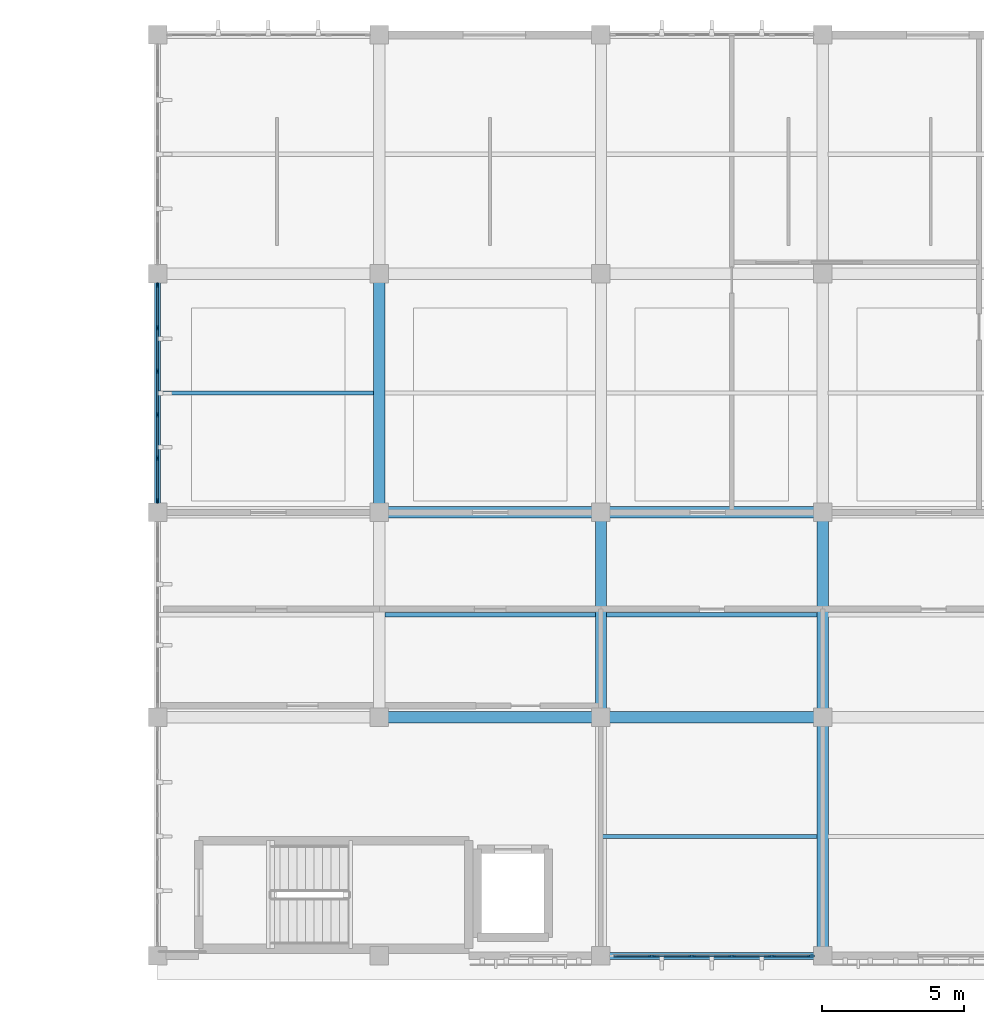
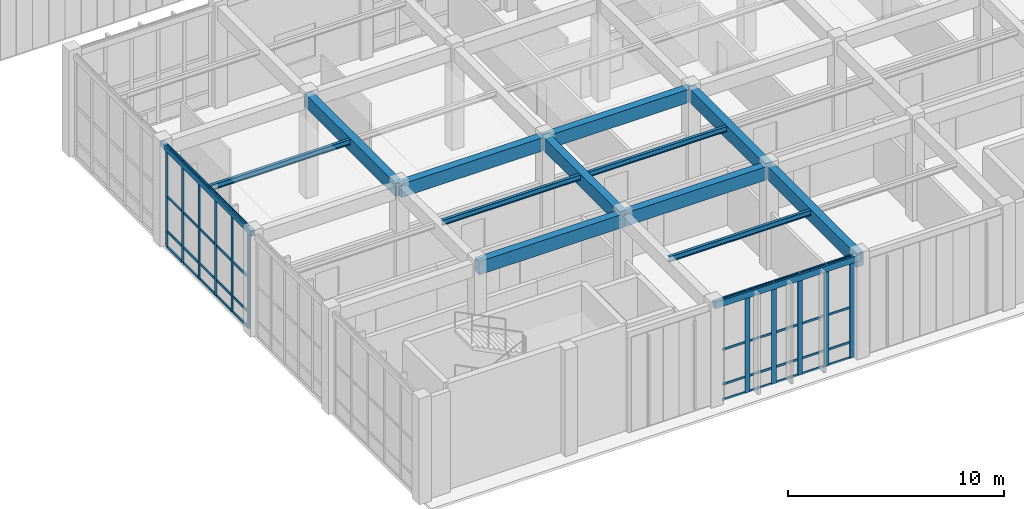
# One storey, part 11 of 105: 51 members, 14 beams, 2 elements without a shape of their own.
"""IFC4 building model written with IfcOpenShell, lengths in metres."""

from ifc_helpers import new_model, si_unit, direction, frame, origin, origin_2d, place, context, subcontext, project, spatial, rectangle, hollow_rectangle, i_section, extrude, material, material_profile, profile_set, type_object, element, aggregate, save


model = new_model("IFC4")

# Units and contexts
model_context = context("Model", 3, precision=1e-05, world=origin(), true_north=direction((0.0, 1.0)))
body_context = subcontext(model_context, "Body", "Model", "MODEL_VIEW")
ifc_project = project(units=[si_unit("LENGTHUNIT", "METRE"), si_unit("AREAUNIT", "SQUARE_METRE"), si_unit("VOLUMEUNIT", "CUBIC_METRE"), si_unit("PLANEANGLEUNIT", "RADIAN"), si_unit("MASSUNIT", "GRAM", prefix="KILO")], contexts=[model_context])

# Site, building, storey
site_placement = place(None, origin())
site = spatial("IfcSite", under=ifc_project, at=site_placement, CompositionType="ELEMENT")
building_placement = place(site_placement, origin())
building = spatial("IfcBuilding", under=site, at=building_placement, Name="Tizgana Railside Sports Hall", CompositionType="ELEMENT")
storey_placement = place(building_placement, frame((0.0, 0.0, 6.0)))
storey = spatial("IfcBuildingStorey", under=building, at=storey_placement, Name="L01", CompositionType="ELEMENT", Elevation=6.0)

# Beams
ifc_material_1 = material(Name="Concrete C35/45", Category="concrete")
ifc_material_profile_1 = material_profile(ifc_material_1, rectangle(XDim=0.39990234375, YDim=0.75, at=origin_2d()), Name="RCB 400x750")
ifc_profile_set_1 = profile_set([ifc_material_profile_1], Name="Concrete C35/45")
beam_type_1 = type_object("IfcBeamType", Name="Concrete Beam RCB 400x750", PredefinedType="BEAM", material=ifc_profile_set_1)
beam_1_placement = place(storey_placement, frame((15.60009765625, 15.60009765625, 5.361083984375), z_axis=(0.0, 1.0, 0.0), x_axis=(-1.0, 0.0, 0.0)))
element("IfcBeam", 1, at=beam_1_placement, inside=storey, type_object=beam_type_1, Name="L01 BEM-0470", PredefinedType="BEAM", context=body_context, shape_type="SweptSolid", body=[
    extrude(rectangle(XDim=0.39990234375, YDim=0.75, at=origin_2d()), origin(), (0.0, 0.0, 1.0), 8.39990234375),
])
beam_2_placement = place(storey_placement, frame((23.39990234375, 8.39990234375, 5.361083984375), z_axis=(0.0, 1.0, 0.0), x_axis=(-1.0, 0.0, 0.0)))
element("IfcBeam", 2, at=beam_2_placement, inside=storey, type_object=beam_type_1, Name="L01 BEM-0473", PredefinedType="BEAM", context=body_context, shape_type="SweptSolid", body=[
    extrude(rectangle(XDim=0.39990234375, YDim=0.75, at=origin_2d()), origin(), (0.0, 0.0, 1.0), 7.2001953125),
])
beam_3_placement = place(storey_placement, frame((31.199951171875, 0.0, 5.361083984375), z_axis=(0.0, 1.0, 0.0), x_axis=(-1.0, 0.0, 0.0)))
element("IfcBeam", 3, at=beam_3_placement, inside=storey, type_object=beam_type_1, Name="L01 BEM-0476", PredefinedType="BEAM", context=body_context, shape_type="SweptSolid", body=[
    extrude(rectangle(XDim=0.39990234375, YDim=0.75, at=origin_2d()), origin(), (0.0, 0.0, 1.0), 8.39990234375),
])
beam_4_placement = place(storey_placement, frame((31.199951171875, 8.39990234375, 5.361083984375), z_axis=(0.0, 1.0, 0.0), x_axis=(-1.0, 0.0, 0.0)))
element("IfcBeam", 4, at=beam_4_placement, inside=storey, type_object=beam_type_1, Name="L01 BEM-0477", PredefinedType="BEAM", context=body_context, shape_type="SweptSolid", body=[
    extrude(rectangle(XDim=0.39990234375, YDim=0.75, at=origin_2d()), origin(), (0.0, 0.0, 1.0), 7.2001953125),
])
for number, where, z_axis, x_axis, name in (
    (5, (15.60009765625, 8.39990234375, 5.361083984375), (1.0, 0.0, 0.0), (0.0, 1.0, 0.0), "L01 BEM-0517"),
    (6, (15.60009765625, 15.60009765625, 5.361083984375), (1.0, 0.0, 0.0), (0.0, 1.0, 0.0), "L01 BEM-0518"),
):
    element("IfcBeam", number, at=place(storey_placement, frame(where, z_axis=z_axis, x_axis=x_axis)), inside=storey, type_object=beam_type_1, Name=name, PredefinedType="BEAM", context=body_context, shape_type="SweptSolid", body=[
        extrude(rectangle(XDim=0.39990234375, YDim=0.75, at=origin_2d()), origin(), (0.0, 0.0, 1.0), 7.7998046875),
    ])
for number, where, z_axis, x_axis, name in (
    (7, (23.39990234375, 8.39990234375, 5.361083984375), (1.0, 0.0, 0.0), (0.0, 1.0, 0.0), "L01 BEM-0525"),
    (8, (23.39990234375, 15.60009765625, 5.361083984375), (1.0, 0.0, 0.0), (0.0, 1.0, 0.0), "L01 BEM-0526"),
):
    element("IfcBeam", number, at=place(storey_placement, frame(where, z_axis=z_axis, x_axis=x_axis)), inside=storey, type_object=beam_type_1, Name=name, PredefinedType="BEAM", context=body_context, shape_type="SweptSolid", body=[
        extrude(rectangle(XDim=0.39990234375, YDim=0.75, at=origin_2d()), origin(), (0.0, 0.0, 1.0), 7.800048828125),
    ])

# Curtain wall, members
ifc_material_2 = material(Name="Anodised aluminium and glass", Category="aluminium")
curtain_wall_type_1 = type_object("IfcCurtainWallType", Name="Unitised Curtain Wall Studio 1400", PredefinedType="NOTDEFINED", material=ifc_material_2)
curtain_wall_1_placement = place(storey_placement, origin())
curtain_wall_1 = element("IfcCurtainWall", 9, at=curtain_wall_1_placement, inside=storey, type_object=curtain_wall_type_1, Name="L01 Curtain Wall CW-0098", PredefinedType="NOTDEFINED")
ifc_material_3 = material(Name="Anodised aluminium", Category="aluminium")
ifc_material_profile_2 = material_profile(ifc_material_3, rectangle(XDim=0.06005859375, YDim=0.179931640625, at=origin_2d()), Name="Mullion 60x180")
ifc_profile_set_2 = profile_set([ifc_material_profile_2], Name="Anodised aluminium")
member_type_1 = type_object("IfcMemberType", Name="Mullion 60x180", PredefinedType="MULLION", material=ifc_profile_set_2)
member_1_placement = place(storey_placement, frame((7.800048828125, 23.590087890625, 0.0), z_axis=(0.0, 0.0, 1.0), x_axis=(1.0, 0.0, 0.0)))
member_1 = element("IfcMember", 10, at=member_1_placement, type_object=member_type_1, Name="CW-03 mullion 1", PredefinedType="MULLION", context=body_context, shape_type="SweptSolid", body=[
    extrude(rectangle(XDim=0.06005859375, YDim=0.179931640625, at=origin_2d()), origin(), (0.0, 0.0, 1.0), 5.719970703125),
])
member_2_placement = place(storey_placement, frame((7.800048828125, 22.092041015625, 0.0), z_axis=(0.0, 0.0, 1.0), x_axis=(1.0, 0.0, 0.0)))
member_2 = element("IfcMember", 11, at=member_2_placement, type_object=member_type_1, Name="CW-03 mullion 2", PredefinedType="MULLION", context=body_context, shape_type="SweptSolid", body=[
    extrude(rectangle(XDim=0.06005859375, YDim=0.179931640625, at=origin_2d()), origin(), (0.0, 0.0, 1.0), 5.719970703125),
])
member_3_placement = place(storey_placement, frame((7.800048828125, 20.56396484375, 0.0), z_axis=(0.0, 0.0, 1.0), x_axis=(1.0, 0.0, 0.0)))
member_3 = element("IfcMember", 12, at=member_3_placement, type_object=member_type_1, Name="CW-03 mullion 3", PredefinedType="MULLION", context=body_context, shape_type="SweptSolid", body=[
    extrude(rectangle(XDim=0.06005859375, YDim=0.179931640625, at=origin_2d()), origin(), (0.0, 0.0, 1.0), 5.719970703125),
])
member_4_placement = place(storey_placement, frame((7.800048828125, 19.035888671875, 0.0), z_axis=(0.0, 0.0, 1.0), x_axis=(1.0, 0.0, 0.0)))
member_4 = element("IfcMember", 13, at=member_4_placement, type_object=member_type_1, Name="CW-03 mullion 4", PredefinedType="MULLION", context=body_context, shape_type="SweptSolid", body=[
    extrude(rectangle(XDim=0.06005859375, YDim=0.179931640625, at=origin_2d()), origin(), (0.0, 0.0, 1.0), 5.719970703125),
])
member_5_placement = place(storey_placement, frame((7.800048828125, 17.508056640625, 0.0), z_axis=(0.0, 0.0, 1.0), x_axis=(1.0, 0.0, 0.0)))
member_5 = element("IfcMember", 14, at=member_5_placement, type_object=member_type_1, Name="CW-03 mullion 5", PredefinedType="MULLION", context=body_context, shape_type="SweptSolid", body=[
    extrude(rectangle(XDim=0.06005859375, YDim=0.179931640625, at=origin_2d()), origin(), (0.0, 0.0, 1.0), 5.719970703125),
])
member_6_placement = place(storey_placement, frame((7.800048828125, 16.010009765625, 0.0), z_axis=(0.0, 0.0, 1.0), x_axis=(1.0, 0.0, 0.0)))
member_6 = element("IfcMember", 15, at=member_6_placement, type_object=member_type_1, Name="CW-03 mullion 6", PredefinedType="MULLION", context=body_context, shape_type="SweptSolid", body=[
    extrude(rectangle(XDim=0.06005859375, YDim=0.179931640625, at=origin_2d()), origin(), (0.0, 0.0, 1.0), 5.719970703125),
])

curtain_wall_type_2 = type_object("IfcCurtainWallType", Name="Unitised Curtain Wall Foyer 1300", PredefinedType="NOTDEFINED", material=ifc_material_2)
curtain_wall_2_placement = place(storey_placement, origin())
curtain_wall_2 = element("IfcCurtainWall", 16, at=curtain_wall_2_placement, inside=storey, type_object=curtain_wall_type_2, Name="L01 Curtain Wall CW-0089", PredefinedType="NOTDEFINED")
ifc_material_profile_3 = material_profile(ifc_material_3, rectangle(XDim=0.074951171875, YDim=0.25, at=origin_2d()), Name="Mullion 75x250")
ifc_profile_set_3 = profile_set([ifc_material_profile_3], Name="Anodised aluminium")
member_type_2 = type_object("IfcMemberType", Name="Mullion 75x250", PredefinedType="MULLION", material=ifc_profile_set_3)
member_7_placement = place(storey_placement, frame((30.782470703125, 0.0, 0.0), z_axis=(0.0, 0.0, 1.0), x_axis=(0.0, -1.0, 0.0)))
member_7 = element("IfcMember", 17, at=member_7_placement, type_object=member_type_2, Name="CW-02 mullion 1", PredefinedType="MULLION", context=body_context, shape_type="SweptSolid", body=[
    extrude(rectangle(XDim=0.074951171875, YDim=0.25, at=origin_2d()), origin(), (0.0, 0.0, 1.0), 5.719970703125),
])
member_8_placement = place(storey_placement, frame((29.412109375, 0.0, 0.0), z_axis=(0.0, 0.0, 1.0), x_axis=(0.0, -1.0, 0.0)))
member_8 = element("IfcMember", 18, at=member_8_placement, type_object=member_type_2, Name="CW-02 mullion 2", PredefinedType="MULLION", context=body_context, shape_type="SweptSolid", body=[
    extrude(rectangle(XDim=0.074951171875, YDim=0.25, at=origin_2d()), origin(), (0.0, 0.0, 1.0), 5.719970703125),
])
member_9_placement = place(storey_placement, frame((28.00390625, 0.0, 0.0), z_axis=(0.0, 0.0, 1.0), x_axis=(0.0, -1.0, 0.0)))
member_9 = element("IfcMember", 19, at=member_9_placement, type_object=member_type_2, Name="CW-02 mullion 3", PredefinedType="MULLION", context=body_context, shape_type="SweptSolid", body=[
    extrude(rectangle(XDim=0.074951171875, YDim=0.25, at=origin_2d()), origin(), (0.0, 0.0, 1.0), 5.719970703125),
])
member_10_placement = place(storey_placement, frame((26.595947265625, 0.0, 0.0), z_axis=(0.0, 0.0, 1.0), x_axis=(0.0, -1.0, 0.0)))
member_10 = element("IfcMember", 20, at=member_10_placement, type_object=member_type_2, Name="CW-02 mullion 4", PredefinedType="MULLION", context=body_context, shape_type="SweptSolid", body=[
    extrude(rectangle(XDim=0.074951171875, YDim=0.25, at=origin_2d()), origin(), (0.0, 0.0, 1.0), 5.719970703125),
])
member_11_placement = place(storey_placement, frame((25.18798828125, 0.0, 0.0), z_axis=(0.0, 0.0, 1.0), x_axis=(0.0, -1.0, 0.0)))
member_11 = element("IfcMember", 21, at=member_11_placement, type_object=member_type_2, Name="CW-02 mullion 5", PredefinedType="MULLION", context=body_context, shape_type="SweptSolid", body=[
    extrude(rectangle(XDim=0.074951171875, YDim=0.25, at=origin_2d()), origin(), (0.0, 0.0, 1.0), 5.719970703125),
])

# Beams
ifc_material_4 = material(Name="Steel S355J2", Category="steel")
ifc_material_profile_4 = material_profile(ifc_material_4, i_section(OverallWidth=0.14990234375, OverallDepth=0.300048828125, WebThickness=0.007080078125, FlangeThickness=0.0107421875, FilletRadius=0.014892578125, at=origin_2d()), Name="IPE 300")
ifc_profile_set_4 = profile_set([ifc_material_profile_4], Name="Steel S355J2")
beam_type_2 = type_object("IfcBeamType", Name="Steel Joist IPE 300", PredefinedType="JOIST", material=ifc_profile_set_4)
beam_5_placement = place(storey_placement, frame((7.800048828125, 19.800048828125, 5.5859375), z_axis=(1.0, 0.0, 0.0), x_axis=(0.0, 1.0, 0.0)))
element("IfcBeam", 22, at=beam_5_placement, inside=storey, type_object=beam_type_2, Name="L01 BEM-0515", PredefinedType="JOIST", context=body_context, shape_type="SweptSolid", body=[
    extrude(i_section(OverallWidth=0.14990234375, OverallDepth=0.300048828125, WebThickness=0.007080078125, FlangeThickness=0.0107421875, FilletRadius=0.014892578125, at=origin_2d()), origin(), (0.0, 0.0, 1.0), 7.60498046875),
])
beam_6_placement = place(storey_placement, frame((15.794921875, 12.0, 5.5859375), z_axis=(1.0, 0.0, 0.0), x_axis=(0.0, 1.0, 0.0)))
element("IfcBeam", 23, at=beam_6_placement, inside=storey, type_object=beam_type_2, Name="L01 BEM-0521", PredefinedType="JOIST", context=body_context, shape_type="SweptSolid", body=[
    extrude(i_section(OverallWidth=0.14990234375, OverallDepth=0.300048828125, WebThickness=0.007080078125, FlangeThickness=0.0107421875, FilletRadius=0.014892578125, at=origin_2d()), origin(), (0.0, 0.0, 1.0), 7.41015625),
])
beam_7_placement = place(storey_placement, frame((23.39990234375, 4.199951171875, 5.5859375), z_axis=(1.0, 0.0, 0.0), x_axis=(0.0, 1.0, 0.0)))
element("IfcBeam", 24, at=beam_7_placement, inside=storey, type_object=beam_type_2, Name="L01 BEM-0529", PredefinedType="JOIST", context=body_context, shape_type="SweptSolid", body=[
    extrude(i_section(OverallWidth=0.14990234375, OverallDepth=0.300048828125, WebThickness=0.007080078125, FlangeThickness=0.0107421875, FilletRadius=0.014892578125, at=origin_2d()), origin(), (0.0, 0.0, 1.0), 7.60498046875),
])
beam_8_placement = place(storey_placement, frame((23.594970703125, 12.0, 5.5859375), z_axis=(1.0, 0.0, 0.0), x_axis=(0.0, 1.0, 0.0)))
element("IfcBeam", 25, at=beam_8_placement, inside=storey, type_object=beam_type_2, Name="L01 BEM-0530", PredefinedType="JOIST", context=body_context, shape_type="SweptSolid", body=[
    extrude(i_section(OverallWidth=0.14990234375, OverallDepth=0.300048828125, WebThickness=0.007080078125, FlangeThickness=0.0107421875, FilletRadius=0.014892578125, at=origin_2d()), origin(), (0.0, 0.0, 1.0), 7.409912109375),
])
ifc_material_profile_5 = material_profile(ifc_material_4, hollow_rectangle(XDim=0.199951171875, YDim=0.300048828125, WallThickness=0.010009765625, at=origin_2d()), Name="RHS 300x200x10")
ifc_profile_set_5 = profile_set([ifc_material_profile_5], Name="Steel S355J2")
beam_type_3 = type_object("IfcBeamType", Name="Steel Spandrel RHS 300x200x10", PredefinedType="SPANDREL", material=ifc_profile_set_5)
beam_9_placement = place(storey_placement, frame((7.800048828125, 15.60009765625, 5.5859375), z_axis=(0.0, 1.0, 0.0), x_axis=(-1.0, 0.0, 0.0)))
element("IfcBeam", 26, at=beam_9_placement, inside=storey, type_object=beam_type_3, Name="L01 BEM-0467", PredefinedType="SPANDREL", context=body_context, shape_type="SweptSolid", body=[
    extrude(hollow_rectangle(XDim=0.199951171875, YDim=0.300048828125, WallThickness=0.010009765625, at=origin_2d()), origin(), (0.0, 0.0, 1.0), 8.39990234375),
])
ifc_material_profile_6 = material_profile(ifc_material_4, hollow_rectangle(XDim=0.25, YDim=0.35009765625, WallThickness=0.011962890625, at=origin_2d()), Name="RHS 350x250x12")
ifc_profile_set_6 = profile_set([ifc_material_profile_6], Name="Steel S355J2")
beam_type_4 = type_object("IfcBeamType", Name="Steel Spandrel RHS 350x250x12", PredefinedType="SPANDREL", material=ifc_profile_set_6)
beam_10_placement = place(storey_placement, frame((23.39990234375, 0.0, 5.56103515625), z_axis=(1.0, 0.0, 0.0), x_axis=(0.0, 1.0, 0.0)))
element("IfcBeam", 27, at=beam_10_placement, inside=storey, type_object=beam_type_4, Name="L01 BEM-0524", PredefinedType="SPANDREL", context=body_context, shape_type="SweptSolid", body=[
    extrude(hollow_rectangle(XDim=0.25, YDim=0.35009765625, WallThickness=0.011962890625, at=origin_2d()), origin(), (0.0, 0.0, 1.0), 7.800048828125),
])

# Member
ifc_material_profile_7 = material_profile(ifc_material_3, rectangle(XDim=0.054931640625, YDim=0.1201171875, at=origin_2d()), Name="Transom 55x120")
ifc_profile_set_7 = profile_set([ifc_material_profile_7], Name="Anodised aluminium")
member_type_3 = type_object("IfcMemberType", Name="Transom 55x120", PredefinedType="USERDEFINED", material=ifc_profile_set_7)
member_12_placement = place(storey_placement, frame((30.7451171875, 0.0, 0.027587890625), z_axis=(-1.0, 0.0, 0.0), x_axis=(0.0, -1.0, 0.0)))
member_12 = element("IfcMember", 28, at=member_12_placement, type_object=member_type_3, Name="CW-02 transom 1.1", ObjectType="TRANSOM", PredefinedType="USERDEFINED", context=body_context, shape_type="SweptSolid", body=[
    extrude(rectangle(XDim=0.054931640625, YDim=0.1201171875, at=origin_2d()), origin(), (0.0, 0.0, 1.0), 1.295654296875),
])

member_13_placement = place(storey_placement, frame((30.7451171875, 0.0, 0.89990234375), z_axis=(-1.0, 0.0, 0.0), x_axis=(0.0, -1.0, 0.0)))
member_13 = element("IfcMember", 29, at=member_13_placement, type_object=member_type_3, Name="CW-02 transom 1.2", ObjectType="TRANSOM", PredefinedType="USERDEFINED", context=body_context, shape_type="SweptSolid", body=[
    extrude(rectangle(XDim=0.054931640625, YDim=0.1201171875, at=origin_2d()), origin(), (0.0, 0.0, 1.0), 1.295654296875),
])

member_14_placement = place(storey_placement, frame((30.7451171875, 0.0, 2.860107421875), z_axis=(-1.0, 0.0, 0.0), x_axis=(0.0, -1.0, 0.0)))
member_14 = element("IfcMember", 30, at=member_14_placement, type_object=member_type_3, Name="CW-02 transom 1.3", ObjectType="TRANSOM", PredefinedType="USERDEFINED", context=body_context, shape_type="SweptSolid", body=[
    extrude(rectangle(XDim=0.054931640625, YDim=0.1201171875, at=origin_2d()), origin(), (0.0, 0.0, 1.0), 1.295654296875),
])

member_15_placement = place(storey_placement, frame((30.7451171875, 0.0, 5.6923828125), z_axis=(-1.0, 0.0, 0.0), x_axis=(0.0, -1.0, 0.0)))
member_15 = element("IfcMember", 31, at=member_15_placement, type_object=member_type_3, Name="CW-02 transom 1.4", ObjectType="TRANSOM", PredefinedType="USERDEFINED", context=body_context, shape_type="SweptSolid", body=[
    extrude(rectangle(XDim=0.054931640625, YDim=0.1201171875, at=origin_2d()), origin(), (0.0, 0.0, 1.0), 1.295654296875),
])

member_16_placement = place(storey_placement, frame((29.37451171875, 0.0, 0.027587890625), z_axis=(-1.0, 0.0, 0.0), x_axis=(0.0, -1.0, 0.0)))
member_16 = element("IfcMember", 32, at=member_16_placement, type_object=member_type_3, Name="CW-02 transom 2.1", ObjectType="TRANSOM", PredefinedType="USERDEFINED", context=body_context, shape_type="SweptSolid", body=[
    extrude(rectangle(XDim=0.054931640625, YDim=0.1201171875, at=origin_2d()), origin(), (0.0, 0.0, 1.0), 1.3330078125),
])

member_17_placement = place(storey_placement, frame((29.37451171875, 0.0, 0.89990234375), z_axis=(-1.0, 0.0, 0.0), x_axis=(0.0, -1.0, 0.0)))
member_17 = element("IfcMember", 33, at=member_17_placement, type_object=member_type_3, Name="CW-02 transom 2.2", ObjectType="TRANSOM", PredefinedType="USERDEFINED", context=body_context, shape_type="SweptSolid", body=[
    extrude(rectangle(XDim=0.054931640625, YDim=0.1201171875, at=origin_2d()), origin(), (0.0, 0.0, 1.0), 1.3330078125),
])

member_18_placement = place(storey_placement, frame((29.37451171875, 0.0, 2.860107421875), z_axis=(-1.0, 0.0, 0.0), x_axis=(0.0, -1.0, 0.0)))
member_18 = element("IfcMember", 34, at=member_18_placement, type_object=member_type_3, Name="CW-02 transom 2.3", ObjectType="TRANSOM", PredefinedType="USERDEFINED", context=body_context, shape_type="SweptSolid", body=[
    extrude(rectangle(XDim=0.054931640625, YDim=0.1201171875, at=origin_2d()), origin(), (0.0, 0.0, 1.0), 1.3330078125),
])

member_19_placement = place(storey_placement, frame((29.37451171875, 0.0, 5.6923828125), z_axis=(-1.0, 0.0, 0.0), x_axis=(0.0, -1.0, 0.0)))
member_19 = element("IfcMember", 35, at=member_19_placement, type_object=member_type_3, Name="CW-02 transom 2.4", ObjectType="TRANSOM", PredefinedType="USERDEFINED", context=body_context, shape_type="SweptSolid", body=[
    extrude(rectangle(XDim=0.054931640625, YDim=0.1201171875, at=origin_2d()), origin(), (0.0, 0.0, 1.0), 1.3330078125),
])

member_20_placement = place(storey_placement, frame((27.966552734375, 0.0, 0.027587890625), z_axis=(-1.0, 0.0, 0.0), x_axis=(0.0, -1.0, 0.0)))
member_20 = element("IfcMember", 36, at=member_20_placement, type_object=member_type_3, Name="CW-02 transom 3.1", ObjectType="TRANSOM", PredefinedType="USERDEFINED", context=body_context, shape_type="SweptSolid", body=[
    extrude(rectangle(XDim=0.054931640625, YDim=0.1201171875, at=origin_2d()), origin(), (0.0, 0.0, 1.0), 1.3330078125),
])

member_21_placement = place(storey_placement, frame((27.966552734375, 0.0, 0.89990234375), z_axis=(-1.0, 0.0, 0.0), x_axis=(0.0, -1.0, 0.0)))
member_21 = element("IfcMember", 37, at=member_21_placement, type_object=member_type_3, Name="CW-02 transom 3.2", ObjectType="TRANSOM", PredefinedType="USERDEFINED", context=body_context, shape_type="SweptSolid", body=[
    extrude(rectangle(XDim=0.054931640625, YDim=0.1201171875, at=origin_2d()), origin(), (0.0, 0.0, 1.0), 1.3330078125),
])

member_22_placement = place(storey_placement, frame((27.966552734375, 0.0, 2.860107421875), z_axis=(-1.0, 0.0, 0.0), x_axis=(0.0, -1.0, 0.0)))
member_22 = element("IfcMember", 38, at=member_22_placement, type_object=member_type_3, Name="CW-02 transom 3.3", ObjectType="TRANSOM", PredefinedType="USERDEFINED", context=body_context, shape_type="SweptSolid", body=[
    extrude(rectangle(XDim=0.054931640625, YDim=0.1201171875, at=origin_2d()), origin(), (0.0, 0.0, 1.0), 1.3330078125),
])

member_23_placement = place(storey_placement, frame((27.966552734375, 0.0, 5.6923828125), z_axis=(-1.0, 0.0, 0.0), x_axis=(0.0, -1.0, 0.0)))
member_23 = element("IfcMember", 39, at=member_23_placement, type_object=member_type_3, Name="CW-02 transom 3.4", ObjectType="TRANSOM", PredefinedType="USERDEFINED", context=body_context, shape_type="SweptSolid", body=[
    extrude(rectangle(XDim=0.054931640625, YDim=0.1201171875, at=origin_2d()), origin(), (0.0, 0.0, 1.0), 1.3330078125),
])

member_24_placement = place(storey_placement, frame((26.55859375, 0.0, 0.027587890625), z_axis=(-1.0, 0.0, 0.0), x_axis=(0.0, -1.0, 0.0)))
member_24 = element("IfcMember", 40, at=member_24_placement, type_object=member_type_3, Name="CW-02 transom 4.1", ObjectType="TRANSOM", PredefinedType="USERDEFINED", context=body_context, shape_type="SweptSolid", body=[
    extrude(rectangle(XDim=0.054931640625, YDim=0.1201171875, at=origin_2d()), origin(), (0.0, 0.0, 1.0), 1.3330078125),
])

member_25_placement = place(storey_placement, frame((26.55859375, 0.0, 0.89990234375), z_axis=(-1.0, 0.0, 0.0), x_axis=(0.0, -1.0, 0.0)))
member_25 = element("IfcMember", 41, at=member_25_placement, type_object=member_type_3, Name="CW-02 transom 4.2", ObjectType="TRANSOM", PredefinedType="USERDEFINED", context=body_context, shape_type="SweptSolid", body=[
    extrude(rectangle(XDim=0.054931640625, YDim=0.1201171875, at=origin_2d()), origin(), (0.0, 0.0, 1.0), 1.3330078125),
])

member_26_placement = place(storey_placement, frame((26.55859375, 0.0, 2.860107421875), z_axis=(-1.0, 0.0, 0.0), x_axis=(0.0, -1.0, 0.0)))
member_26 = element("IfcMember", 42, at=member_26_placement, type_object=member_type_3, Name="CW-02 transom 4.3", ObjectType="TRANSOM", PredefinedType="USERDEFINED", context=body_context, shape_type="SweptSolid", body=[
    extrude(rectangle(XDim=0.054931640625, YDim=0.1201171875, at=origin_2d()), origin(), (0.0, 0.0, 1.0), 1.3330078125),
])

member_27_placement = place(storey_placement, frame((26.55859375, 0.0, 5.6923828125), z_axis=(-1.0, 0.0, 0.0), x_axis=(0.0, -1.0, 0.0)))
member_27 = element("IfcMember", 43, at=member_27_placement, type_object=member_type_3, Name="CW-02 transom 4.4", ObjectType="TRANSOM", PredefinedType="USERDEFINED", context=body_context, shape_type="SweptSolid", body=[
    extrude(rectangle(XDim=0.054931640625, YDim=0.1201171875, at=origin_2d()), origin(), (0.0, 0.0, 1.0), 1.3330078125),
])

member_28_placement = place(storey_placement, frame((25.150390625, 0.0, 0.027587890625), z_axis=(-1.0, 0.0, 0.0), x_axis=(0.0, -1.0, 0.0)))
member_28 = element("IfcMember", 44, at=member_28_placement, type_object=member_type_3, Name="CW-02 transom 5.1", ObjectType="TRANSOM", PredefinedType="USERDEFINED", context=body_context, shape_type="SweptSolid", body=[
    extrude(rectangle(XDim=0.054931640625, YDim=0.1201171875, at=origin_2d()), origin(), (0.0, 0.0, 1.0), 1.29541015625),
])

member_29_placement = place(storey_placement, frame((25.150390625, 0.0, 0.89990234375), z_axis=(-1.0, 0.0, 0.0), x_axis=(0.0, -1.0, 0.0)))
member_29 = element("IfcMember", 45, at=member_29_placement, type_object=member_type_3, Name="CW-02 transom 5.2", ObjectType="TRANSOM", PredefinedType="USERDEFINED", context=body_context, shape_type="SweptSolid", body=[
    extrude(rectangle(XDim=0.054931640625, YDim=0.1201171875, at=origin_2d()), origin(), (0.0, 0.0, 1.0), 1.29541015625),
])

member_30_placement = place(storey_placement, frame((25.150390625, 0.0, 2.860107421875), z_axis=(-1.0, 0.0, 0.0), x_axis=(0.0, -1.0, 0.0)))
member_30 = element("IfcMember", 46, at=member_30_placement, type_object=member_type_3, Name="CW-02 transom 5.3", ObjectType="TRANSOM", PredefinedType="USERDEFINED", context=body_context, shape_type="SweptSolid", body=[
    extrude(rectangle(XDim=0.054931640625, YDim=0.1201171875, at=origin_2d()), origin(), (0.0, 0.0, 1.0), 1.29541015625),
])

member_31_placement = place(storey_placement, frame((25.150390625, 0.0, 5.6923828125), z_axis=(-1.0, 0.0, 0.0), x_axis=(0.0, -1.0, 0.0)))
member_31 = element("IfcMember", 47, at=member_31_placement, type_object=member_type_3, Name="CW-02 transom 5.4", ObjectType="TRANSOM", PredefinedType="USERDEFINED", context=body_context, shape_type="SweptSolid", body=[
    extrude(rectangle(XDim=0.054931640625, YDim=0.1201171875, at=origin_2d()), origin(), (0.0, 0.0, 1.0), 1.29541015625),
])

aggregate(curtain_wall_2, [member_7, member_8, member_9, member_10, member_11, member_12, member_13, member_14, member_15, member_16, member_17, member_18, member_19, member_20, member_21, member_22, member_23, member_24, member_25, member_26, member_27, member_28, member_29, member_30, member_31])

ifc_material_profile_8 = material_profile(ifc_material_3, rectangle(XDim=0.06005859375, YDim=0.14990234375, at=origin_2d()), Name="Transom 60x150")
ifc_profile_set_8 = profile_set([ifc_material_profile_8], Name="Anodised aluminium")
member_type_4 = type_object("IfcMemberType", Name="Transom 60x150", PredefinedType="USERDEFINED", material=ifc_profile_set_8)
member_32_placement = place(storey_placement, frame((7.800048828125, 23.56005859375, 0.030029296875), z_axis=(0.0, -1.0, 0.0), x_axis=(1.0, 0.0, 0.0)))
member_32 = element("IfcMember", 48, at=member_32_placement, type_object=member_type_4, Name="CW-03 transom 1.1", ObjectType="TRANSOM", PredefinedType="USERDEFINED", context=body_context, shape_type="SweptSolid", body=[
    extrude(rectangle(XDim=0.06005859375, YDim=0.14990234375, at=origin_2d()), origin(), (0.0, 0.0, 1.0), 1.43798828125),
])

member_33_placement = place(storey_placement, frame((7.800048828125, 23.56005859375, 0.89990234375), z_axis=(0.0, -1.0, 0.0), x_axis=(1.0, 0.0, 0.0)))
member_33 = element("IfcMember", 49, at=member_33_placement, type_object=member_type_4, Name="CW-03 transom 1.2", ObjectType="TRANSOM", PredefinedType="USERDEFINED", context=body_context, shape_type="SweptSolid", body=[
    extrude(rectangle(XDim=0.06005859375, YDim=0.14990234375, at=origin_2d()), origin(), (0.0, 0.0, 1.0), 1.43798828125),
])

member_34_placement = place(storey_placement, frame((7.800048828125, 23.56005859375, 2.860107421875), z_axis=(0.0, -1.0, 0.0), x_axis=(1.0, 0.0, 0.0)))
member_34 = element("IfcMember", 50, at=member_34_placement, type_object=member_type_4, Name="CW-03 transom 1.3", ObjectType="TRANSOM", PredefinedType="USERDEFINED", context=body_context, shape_type="SweptSolid", body=[
    extrude(rectangle(XDim=0.06005859375, YDim=0.14990234375, at=origin_2d()), origin(), (0.0, 0.0, 1.0), 1.43798828125),
])

member_35_placement = place(storey_placement, frame((7.800048828125, 23.56005859375, 5.68994140625), z_axis=(0.0, -1.0, 0.0), x_axis=(1.0, 0.0, 0.0)))
member_35 = element("IfcMember", 51, at=member_35_placement, type_object=member_type_4, Name="CW-03 transom 1.4", ObjectType="TRANSOM", PredefinedType="USERDEFINED", context=body_context, shape_type="SweptSolid", body=[
    extrude(rectangle(XDim=0.06005859375, YDim=0.14990234375, at=origin_2d()), origin(), (0.0, 0.0, 1.0), 1.43798828125),
])

member_36_placement = place(storey_placement, frame((7.800048828125, 22.06201171875, 0.030029296875), z_axis=(0.0, -1.0, 0.0), x_axis=(1.0, 0.0, 0.0)))
member_36 = element("IfcMember", 52, at=member_36_placement, type_object=member_type_4, Name="CW-03 transom 2.1", ObjectType="TRANSOM", PredefinedType="USERDEFINED", context=body_context, shape_type="SweptSolid", body=[
    extrude(rectangle(XDim=0.06005859375, YDim=0.14990234375, at=origin_2d()), origin(), (0.0, 0.0, 1.0), 1.468017578125),
])

member_37_placement = place(storey_placement, frame((7.800048828125, 22.06201171875, 0.89990234375), z_axis=(0.0, -1.0, 0.0), x_axis=(1.0, 0.0, 0.0)))
member_37 = element("IfcMember", 53, at=member_37_placement, type_object=member_type_4, Name="CW-03 transom 2.2", ObjectType="TRANSOM", PredefinedType="USERDEFINED", context=body_context, shape_type="SweptSolid", body=[
    extrude(rectangle(XDim=0.06005859375, YDim=0.14990234375, at=origin_2d()), origin(), (0.0, 0.0, 1.0), 1.468017578125),
])

member_38_placement = place(storey_placement, frame((7.800048828125, 22.06201171875, 2.860107421875), z_axis=(0.0, -1.0, 0.0), x_axis=(1.0, 0.0, 0.0)))
member_38 = element("IfcMember", 54, at=member_38_placement, type_object=member_type_4, Name="CW-03 transom 2.3", ObjectType="TRANSOM", PredefinedType="USERDEFINED", context=body_context, shape_type="SweptSolid", body=[
    extrude(rectangle(XDim=0.06005859375, YDim=0.14990234375, at=origin_2d()), origin(), (0.0, 0.0, 1.0), 1.468017578125),
])

member_39_placement = place(storey_placement, frame((7.800048828125, 22.06201171875, 5.68994140625), z_axis=(0.0, -1.0, 0.0), x_axis=(1.0, 0.0, 0.0)))
member_39 = element("IfcMember", 55, at=member_39_placement, type_object=member_type_4, Name="CW-03 transom 2.4", ObjectType="TRANSOM", PredefinedType="USERDEFINED", context=body_context, shape_type="SweptSolid", body=[
    extrude(rectangle(XDim=0.06005859375, YDim=0.14990234375, at=origin_2d()), origin(), (0.0, 0.0, 1.0), 1.468017578125),
])

member_40_placement = place(storey_placement, frame((7.800048828125, 20.533935546875, 0.030029296875), z_axis=(0.0, -1.0, 0.0), x_axis=(1.0, 0.0, 0.0)))
member_40 = element("IfcMember", 56, at=member_40_placement, type_object=member_type_4, Name="CW-03 transom 3.1", ObjectType="TRANSOM", PredefinedType="USERDEFINED", context=body_context, shape_type="SweptSolid", body=[
    extrude(rectangle(XDim=0.06005859375, YDim=0.14990234375, at=origin_2d()), origin(), (0.0, 0.0, 1.0), 1.468017578125),
])

member_41_placement = place(storey_placement, frame((7.800048828125, 20.533935546875, 0.89990234375), z_axis=(0.0, -1.0, 0.0), x_axis=(1.0, 0.0, 0.0)))
member_41 = element("IfcMember", 57, at=member_41_placement, type_object=member_type_4, Name="CW-03 transom 3.2", ObjectType="TRANSOM", PredefinedType="USERDEFINED", context=body_context, shape_type="SweptSolid", body=[
    extrude(rectangle(XDim=0.06005859375, YDim=0.14990234375, at=origin_2d()), origin(), (0.0, 0.0, 1.0), 1.468017578125),
])

member_42_placement = place(storey_placement, frame((7.800048828125, 20.533935546875, 2.860107421875), z_axis=(0.0, -1.0, 0.0), x_axis=(1.0, 0.0, 0.0)))
member_42 = element("IfcMember", 58, at=member_42_placement, type_object=member_type_4, Name="CW-03 transom 3.3", ObjectType="TRANSOM", PredefinedType="USERDEFINED", context=body_context, shape_type="SweptSolid", body=[
    extrude(rectangle(XDim=0.06005859375, YDim=0.14990234375, at=origin_2d()), origin(), (0.0, 0.0, 1.0), 1.468017578125),
])

member_43_placement = place(storey_placement, frame((7.800048828125, 20.533935546875, 5.68994140625), z_axis=(0.0, -1.0, 0.0), x_axis=(1.0, 0.0, 0.0)))
member_43 = element("IfcMember", 59, at=member_43_placement, type_object=member_type_4, Name="CW-03 transom 3.4", ObjectType="TRANSOM", PredefinedType="USERDEFINED", context=body_context, shape_type="SweptSolid", body=[
    extrude(rectangle(XDim=0.06005859375, YDim=0.14990234375, at=origin_2d()), origin(), (0.0, 0.0, 1.0), 1.468017578125),
])

member_44_placement = place(storey_placement, frame((7.800048828125, 19.006103515625, 0.030029296875), z_axis=(0.0, -1.0, 0.0), x_axis=(1.0, 0.0, 0.0)))
member_44 = element("IfcMember", 60, at=member_44_placement, type_object=member_type_4, Name="CW-03 transom 4.1", ObjectType="TRANSOM", PredefinedType="USERDEFINED", context=body_context, shape_type="SweptSolid", body=[
    extrude(rectangle(XDim=0.06005859375, YDim=0.14990234375, at=origin_2d()), origin(), (0.0, 0.0, 1.0), 1.468017578125),
])

member_45_placement = place(storey_placement, frame((7.800048828125, 19.006103515625, 0.89990234375), z_axis=(0.0, -1.0, 0.0), x_axis=(1.0, 0.0, 0.0)))
member_45 = element("IfcMember", 61, at=member_45_placement, type_object=member_type_4, Name="CW-03 transom 4.2", ObjectType="TRANSOM", PredefinedType="USERDEFINED", context=body_context, shape_type="SweptSolid", body=[
    extrude(rectangle(XDim=0.06005859375, YDim=0.14990234375, at=origin_2d()), origin(), (0.0, 0.0, 1.0), 1.468017578125),
])

member_46_placement = place(storey_placement, frame((7.800048828125, 19.006103515625, 2.860107421875), z_axis=(0.0, -1.0, 0.0), x_axis=(1.0, 0.0, 0.0)))
member_46 = element("IfcMember", 62, at=member_46_placement, type_object=member_type_4, Name="CW-03 transom 4.3", ObjectType="TRANSOM", PredefinedType="USERDEFINED", context=body_context, shape_type="SweptSolid", body=[
    extrude(rectangle(XDim=0.06005859375, YDim=0.14990234375, at=origin_2d()), origin(), (0.0, 0.0, 1.0), 1.468017578125),
])

member_47_placement = place(storey_placement, frame((7.800048828125, 19.006103515625, 5.68994140625), z_axis=(0.0, -1.0, 0.0), x_axis=(1.0, 0.0, 0.0)))
member_47 = element("IfcMember", 63, at=member_47_placement, type_object=member_type_4, Name="CW-03 transom 4.4", ObjectType="TRANSOM", PredefinedType="USERDEFINED", context=body_context, shape_type="SweptSolid", body=[
    extrude(rectangle(XDim=0.06005859375, YDim=0.14990234375, at=origin_2d()), origin(), (0.0, 0.0, 1.0), 1.468017578125),
])

member_48_placement = place(storey_placement, frame((7.800048828125, 17.47802734375, 0.030029296875), z_axis=(0.0, -1.0, 0.0), x_axis=(1.0, 0.0, 0.0)))
member_48 = element("IfcMember", 64, at=member_48_placement, type_object=member_type_4, Name="CW-03 transom 5.1", ObjectType="TRANSOM", PredefinedType="USERDEFINED", context=body_context, shape_type="SweptSolid", body=[
    extrude(rectangle(XDim=0.06005859375, YDim=0.14990234375, at=origin_2d()), origin(), (0.0, 0.0, 1.0), 1.43798828125),
])

member_49_placement = place(storey_placement, frame((7.800048828125, 17.47802734375, 0.89990234375), z_axis=(0.0, -1.0, 0.0), x_axis=(1.0, 0.0, 0.0)))
member_49 = element("IfcMember", 65, at=member_49_placement, type_object=member_type_4, Name="CW-03 transom 5.2", ObjectType="TRANSOM", PredefinedType="USERDEFINED", context=body_context, shape_type="SweptSolid", body=[
    extrude(rectangle(XDim=0.06005859375, YDim=0.14990234375, at=origin_2d()), origin(), (0.0, 0.0, 1.0), 1.43798828125),
])

member_50_placement = place(storey_placement, frame((7.800048828125, 17.47802734375, 2.860107421875), z_axis=(0.0, -1.0, 0.0), x_axis=(1.0, 0.0, 0.0)))
member_50 = element("IfcMember", 66, at=member_50_placement, type_object=member_type_4, Name="CW-03 transom 5.3", ObjectType="TRANSOM", PredefinedType="USERDEFINED", context=body_context, shape_type="SweptSolid", body=[
    extrude(rectangle(XDim=0.06005859375, YDim=0.14990234375, at=origin_2d()), origin(), (0.0, 0.0, 1.0), 1.43798828125),
])

member_51_placement = place(storey_placement, frame((7.800048828125, 17.47802734375, 5.68994140625), z_axis=(0.0, -1.0, 0.0), x_axis=(1.0, 0.0, 0.0)))
member_51 = element("IfcMember", 67, at=member_51_placement, type_object=member_type_4, Name="CW-03 transom 5.4", ObjectType="TRANSOM", PredefinedType="USERDEFINED", context=body_context, shape_type="SweptSolid", body=[
    extrude(rectangle(XDim=0.06005859375, YDim=0.14990234375, at=origin_2d()), origin(), (0.0, 0.0, 1.0), 1.43798828125),
])

aggregate(curtain_wall_1, [member_1, member_2, member_3, member_4, member_5, member_6, member_32, member_33, member_34, member_35, member_36, member_37, member_38, member_39, member_40, member_41, member_42, member_43, member_44, member_45, member_46, member_47, member_48, member_49, member_50, member_51])

save(model, "model.ifc")
